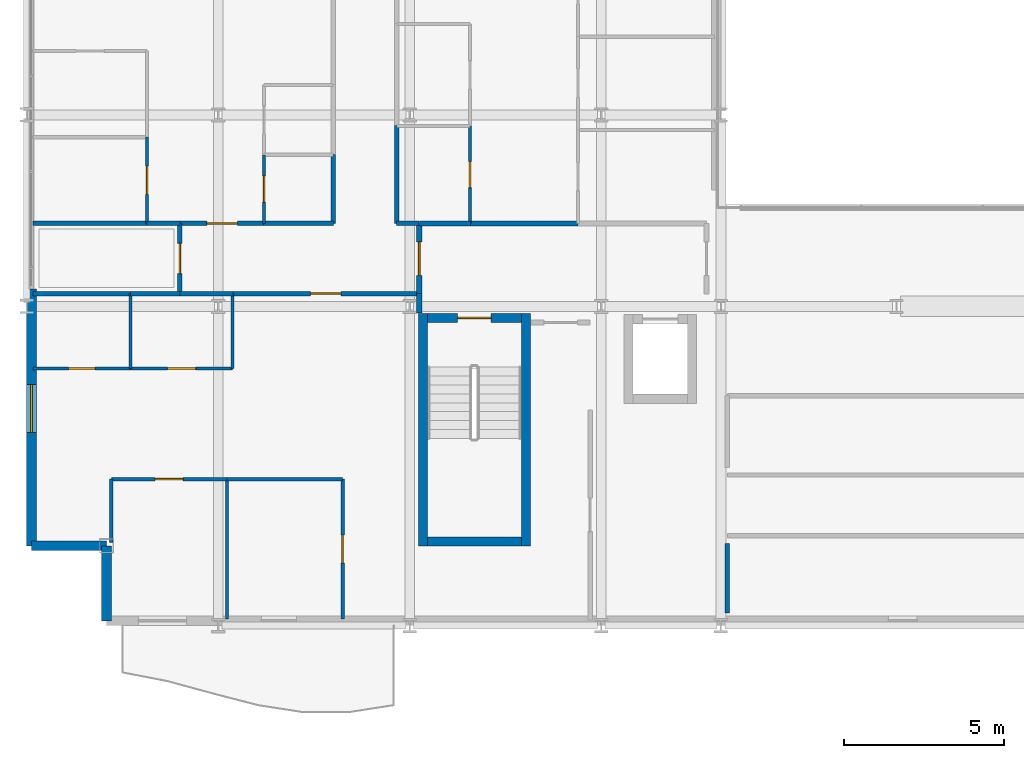
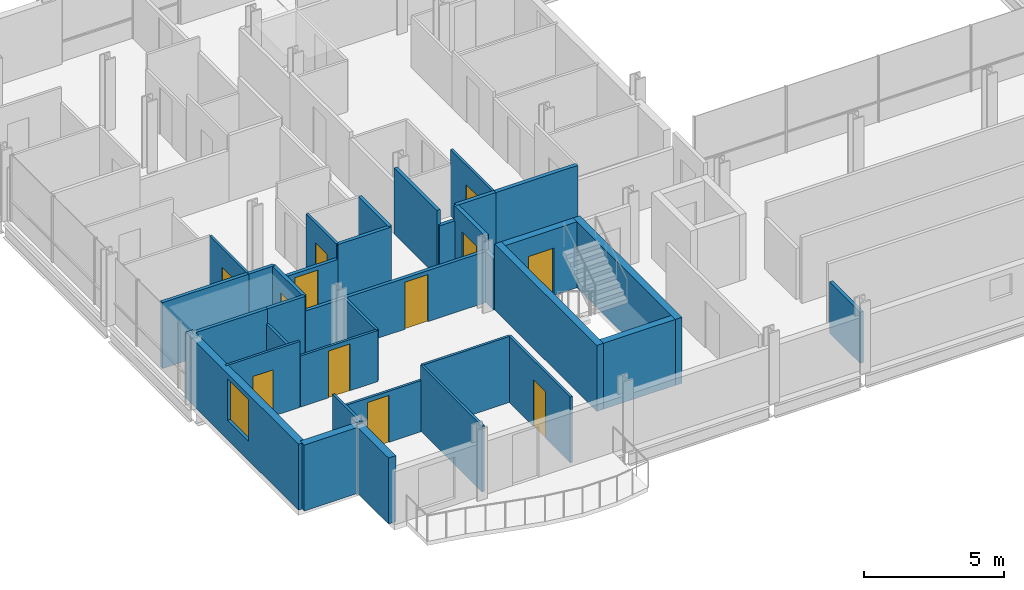
# One storey, part 31 of 40: 36 walls, 12 doors, 1 window, 13 openings.
"""IFC4 building model written with IfcOpenShell, lengths in metres."""

from ifc_helpers import new_model, si_unit, direction, frame, frame_2d, origin, place, context, subcontext, project, spatial, rectangle, extrude, material, layer, layer_set, type_object, element, fill, save


model = new_model("IFC4")

# Units and contexts
model_context = context("Model", 3, precision=1e-05, world=origin(), true_north=direction((0.0, 1.0)))
body_context = subcontext(model_context, "Body", "Model", "MODEL_VIEW")
ifc_project = project(units=[si_unit("LENGTHUNIT", "METRE"), si_unit("AREAUNIT", "SQUARE_METRE"), si_unit("VOLUMEUNIT", "CUBIC_METRE"), si_unit("PLANEANGLEUNIT", "RADIAN"), si_unit("MASSUNIT", "GRAM", prefix="KILO")], contexts=[model_context])

# Site, building, storey
site_placement = place(None, origin())
site = spatial("IfcSite", under=ifc_project, at=site_placement, CompositionType="ELEMENT")
building_placement = place(site_placement, origin())
building = spatial("IfcBuilding", under=site, at=building_placement, Name="Brevholm Reach", CompositionType="ELEMENT")
storey_placement = place(building_placement, frame((0.0, 0.0, 62.10009765625)))
storey = spatial("IfcBuildingStorey", under=building, at=storey_placement, Name="L17", CompositionType="ELEMENT", Elevation=62.10009765625)

# Walls
ifc_material_1 = material(Name="Concrete C50/60", Category="concrete")
ifc_layer_1 = layer(ifc_material_1, 0.280029296875)
ifc_layer_set_1 = layer_set([ifc_layer_1], Name="Concrete C50/60")
wall_type_1 = type_object("IfcWallType", Name="WAL-COR-280", PredefinedType="SHEAR", material=ifc_layer_set_1)
for number, where, z_axis, x_axis, name in (
    (1, (12.409912109375, 2.5, 0.0), (0.0, 0.0, 1.0), (0.0, 1.0, 0.0), "L17 Escape Stair ST-1 Core Wall W"),
    (2, (15.639892578125, 2.5, 0.0), (0.0, 0.0, 1.0), (0.0, 1.0, 0.0), "L17 Escape Stair ST-1 Core Wall E"),
):
    element("IfcWall", number, at=place(storey_placement, frame(where, z_axis=z_axis, x_axis=x_axis)), inside=storey, type_object=wall_type_1, Name=name, PredefinedType="SHEAR", context=body_context, shape_type="SweptSolid", body=[
        extrude(rectangle(XDim=7.280029296875, YDim=0.280029296875, at=frame_2d((3.64013671875, 0.0))), origin(), (0.0, 0.0, 1.0), 2.869873046875),
    ])
wall_1_placement = place(storey_placement, frame((12.550048828125, 2.639892578125, 0.0), z_axis=(0.0, 0.0, 1.0), x_axis=(1.0, 0.0, 0.0)))
element("IfcWall", 3, at=wall_1_placement, inside=storey, type_object=wall_type_1, Name="L17 Escape Stair ST-1 Core Wall S", PredefinedType="SHEAR", context=body_context, shape_type="SweptSolid", body=[
    extrude(rectangle(XDim=2.949951171875, YDim=0.280029296875, at=frame_2d((1.47509765625, 0.0))), origin(), (0.0, 0.0, 1.0), 2.869873046875),
])

# Wall, opening, door
wall_2_placement = place(storey_placement, frame((15.5, 9.639892578125, 0.0), z_axis=(0.0, 0.0, 1.0), x_axis=(-1.0, 0.0, 0.0)))
wall_2 = element("IfcWall", 4, at=wall_2_placement, inside=storey, type_object=wall_type_1, Name="L17 Escape Stair ST-1 Core Wall N", PredefinedType="SHEAR", context=body_context, shape_type="SweptSolid", body=[
    extrude(rectangle(XDim=2.949951171875, YDim=0.280029296875, at=frame_2d((1.47509765625, 0.0))), origin(), (0.0, 0.0, 1.0), 2.869873046875),
])
opening_1_placement = place(wall_2_placement, frame((0.949951171875, 0.0, 0.0)))
opening_1 = element("IfcOpeningElement", 5, at=opening_1_placement, cuts=wall_2, Name="Opening SD-ST-1", PredefinedType="OPENING", context=body_context, shape_type="SweptSolid", body=[
    extrude(rectangle(XDim=1.050048828125, YDim=2.06005859375, at=frame_2d((0.52490234375, 1.030029296875))), frame((0.0, 0.14990234375, 0.0), z_axis=(0.0, -1.0, 0.0), x_axis=(1.0, 0.0, 0.0)), (0.0, 0.0, 1.0), 0.300048828125),
])
ifc_material_2 = material(Name="Hardwood-Lipped Steel-Core Fire and Smoke Door", Category="steel")
door_type_1 = type_object("IfcDoorType", Name="DOR-INT-FD60S", OperationType="NOTDEFINED", PredefinedType="DOOR", material=ifc_material_2)
door_1_placement = place(opening_1_placement, origin())
door_1 = element("IfcDoor", 6, at=door_1_placement, inside=storey, type_object=door_type_1, Name="L17 Protected Stair ST-1 Lobby Door", OperationType="SINGLE_SWING_LEFT", OverallHeight=2.06005859375, OverallWidth=1.050048828125, PredefinedType="DOOR", context=body_context, shape_type="SweptSolid", body=[
    extrude(rectangle(XDim=1.050048828125, YDim=2.06005859375, at=frame_2d((0.52490234375, 1.030029296875))), frame((0.0, 0.02490234375, 0.0), z_axis=(0.0, -1.0, 0.0), x_axis=(1.0, 0.0, 0.0)), (0.0, 0.0, 1.0), 0.050048828125),
])
fill(opening_1, door_1)

# Walls
ifc_material_3 = material(Name="Concrete C40/50", Category="concrete")
ifc_layer_2 = layer(ifc_material_3, 0.300048828125)
ifc_layer_set_2 = layer_set([ifc_layer_2], Name="Concrete C40/50")
wall_type_2 = type_object("IfcWallType", Name="WAL-EXT-300", PredefinedType="STANDARD", material=ifc_layer_set_2)
for number, where, z_axis, x_axis, name in (
    (7, (2.5, 2.5, 0.0), (0.0, 0.0, 1.0), (0.0, -1.0, 0.0), "L17 Facade Wall WAL-L17-CSW1"),
    (8, (0.14990234375, 2.5, 0.0), (0.0, 0.0, 1.0), (1.0, 0.0, 0.0), "L17 Facade Wall WAL-L17-CSW2"),
):
    element("IfcWall", number, at=place(storey_placement, frame(where, z_axis=z_axis, x_axis=x_axis)), inside=storey, type_object=wall_type_2, Name=name, PredefinedType="STANDARD", context=body_context, shape_type="SweptSolid", body=[
        extrude(rectangle(XDim=2.35009765625, YDim=0.300048828125, at=frame_2d((1.175048828125, 0.0))), origin(), (0.0, 0.0, 1.0), 2.869873046875),
    ])

# Wall, opening, window
wall_3_placement = place(storey_placement, frame((0.14990234375, 10.550048828125, 0.0), z_axis=(0.0, 0.0, 1.0), x_axis=(0.0, -1.0, 0.0)))
wall_3 = element("IfcWall", 9, at=wall_3_placement, inside=storey, type_object=wall_type_2, Name="L17 Facade Wall WAL-L17-W-S", PredefinedType="STANDARD", context=body_context, shape_type="SweptSolid", body=[
    extrude(rectangle(XDim=8.050048828125, YDim=0.300048828125, at=frame_2d((4.02490234375, 0.0))), origin(), (0.0, 0.0, 1.0), 2.869873046875),
])
opening_2_placement = place(wall_3_placement, frame((3.0, 0.0, 0.85009765625)))
opening_2 = element("IfcOpeningElement", 10, at=opening_2_placement, cuts=wall_3, Name="Opening WN-05", PredefinedType="OPENING", context=body_context, shape_type="SweptSolid", body=[
    extrude(rectangle(XDim=1.5, YDim=1.800048828125, at=frame_2d((0.75, 0.89990234375))), frame((0.0, 0.159912109375, 0.0), z_axis=(0.0, -1.0, 0.0), x_axis=(1.0, 0.0, 0.0)), (0.0, 0.0, 1.0), 0.320068359375),
])
ifc_material_4 = material(Name="Dark Anodised Aluminium and Solar-Control IGU Glass", Category="aluminium")
window_type = type_object("IfcWindowType", Name="WIN-RES-1500", PartitioningType="SINGLE_PANEL", PredefinedType="WINDOW", material=ifc_material_4)
window_placement = place(opening_2_placement, origin())
window = element("IfcWindow", 11, at=window_placement, inside=storey, type_object=window_type, Name="L17 Window WIN-L17-WS-1", OverallHeight=1.800048828125, OverallWidth=1.5, PartitioningType="SINGLE_PANEL", PredefinedType="WINDOW", context=body_context, shape_type="SweptSolid", body=[
    extrude(rectangle(XDim=1.5, YDim=1.800048828125, at=frame_2d((0.75, 0.89990234375))), frame((0.0, 0.030029296875, 0.0), z_axis=(0.0, -1.0, 0.0), x_axis=(1.0, 0.0, 0.0)), (0.0, 0.0, 1.0), 0.06005859375),
])
fill(opening_2, window)

# Wall
ifc_material_5 = material(Name="Moisture-Resistant Acoustic Gypsum Stud Partition 100 mm", Category="gypsum")
ifc_layer_3 = layer(ifc_material_5, 0.10009765625)
ifc_layer_set_3 = layer_set([ifc_layer_3], Name="Moisture-Resistant Acoustic Gypsum Stud Partition 100 mm")
wall_type_3 = type_object("IfcWallType", Name="WAL-PRT-100", PredefinedType="PARTITIONING", material=ifc_layer_set_3)
wall_4_placement = place(storey_placement, frame((3.25, 8.053955078125, 0.0), z_axis=(0.0, 0.0, 1.0), x_axis=(0.0, 1.0, 0.0)))
element("IfcWall", 12, at=wall_4_placement, inside=storey, type_object=wall_type_3, Name="L17 Internal Partition 059", PredefinedType="PARTITIONING", context=body_context, shape_type="SweptSolid", body=[
    extrude(rectangle(XDim=2.345947265625, YDim=0.10009765625, at=frame_2d((1.1728515625, 0.0))), origin(), (0.0, 0.0, 1.0), 2.224609375),
])

# Wall, opening, door
wall_5_placement = place(storey_placement, frame((0.199951171875, 8.053955078125, 0.0), z_axis=(0.0, 0.0, 1.0), x_axis=(1.0, 0.0, 0.0)))
wall_5 = element("IfcWall", 13, at=wall_5_placement, inside=storey, type_object=wall_type_3, Name="L17 Internal Partition 060", PredefinedType="PARTITIONING", context=body_context, shape_type="SweptSolid", body=[
    extrude(rectangle(XDim=3.050048828125, YDim=0.10009765625, at=frame_2d((1.52490234375, 0.0))), origin(), (0.0, 0.0, 1.0), 2.869873046875),
])
opening_3_placement = place(wall_5_placement, frame((1.114990234375, 0.0, 0.0)))
opening_3 = element("IfcOpeningElement", 14, at=opening_3_placement, cuts=wall_5, Name="Opening ID-03", PredefinedType="OPENING", context=body_context, shape_type="SweptSolid", body=[
    extrude(rectangle(XDim=0.820068359375, YDim=2.02001953125, at=frame_2d((0.41015625, 1.010009765625))), frame((0.0, 0.06005859375, 0.0), z_axis=(0.0, -1.0, 0.0), x_axis=(1.0, 0.0, 0.0)), (0.0, 0.0, 1.0), 0.1201171875),
])
ifc_material_6 = material(Name="Moisture-Resistant Painted Timber Internal Bathroom Door", Category="wood")
door_type_2 = type_object("IfcDoorType", Name="DOR-BATH-820", OperationType="NOTDEFINED", PredefinedType="DOOR", material=ifc_material_6)
door_2_placement = place(opening_3_placement, origin())
door_2 = element("IfcDoor", 15, at=door_2_placement, inside=storey, type_object=door_type_2, Name="L17 Internal Door 022", OperationType="SINGLE_SWING_RIGHT", OverallHeight=2.02001953125, OverallWidth=0.820068359375, PredefinedType="DOOR", context=body_context, shape_type="SweptSolid", body=[
    extrude(rectangle(XDim=0.820068359375, YDim=2.02001953125, at=frame_2d((0.41015625, 1.010009765625))), frame((0.0, 0.02490234375, 0.0), z_axis=(0.0, -1.0, 0.0), x_axis=(1.0, 0.0, 0.0)), (0.0, 0.0, 1.0), 0.050048828125),
])
fill(opening_3, door_2)

wall_6_placement = place(storey_placement, frame((3.25390625, 8.053955078125, 0.0), z_axis=(0.0, 0.0, 1.0), x_axis=(1.0, 0.0, 0.0)))
wall_6 = element("IfcWall", 16, at=wall_6_placement, inside=storey, type_object=wall_type_3, Name="L17 Internal Partition 062", PredefinedType="PARTITIONING", context=body_context, shape_type="SweptSolid", body=[
    extrude(rectangle(XDim=3.196044921875, YDim=0.10009765625, at=frame_2d((1.59814453125, 0.0))), origin(), (0.0, 0.0, 1.0), 2.224609375),
])
opening_4_placement = place(wall_6_placement, frame((1.157958984375, 0.0, 0.0)))
opening_4 = element("IfcOpeningElement", 17, at=opening_4_placement, cuts=wall_6, Name="Opening ID-01", PredefinedType="OPENING", context=body_context, shape_type="SweptSolid", body=[
    extrude(rectangle(XDim=0.8798828125, YDim=2.0400390625, at=frame_2d((0.43994140625, 1.02001953125))), frame((0.0, 0.06005859375, 0.0), z_axis=(0.0, -1.0, 0.0), x_axis=(1.0, 0.0, 0.0)), (0.0, 0.0, 1.0), 0.1201171875),
])
ifc_material_7 = material(Name="Lacquered Ash Solid-Core Acoustic Internal Door", Category="timber")
door_type_3 = type_object("IfcDoorType", Name="DOR-INT-880", OperationType="NOTDEFINED", PredefinedType="DOOR", material=ifc_material_7)
door_3_placement = place(opening_4_placement, origin())
door_3 = element("IfcDoor", 18, at=door_3_placement, inside=storey, type_object=door_type_3, Name="L17 Internal Door 023", OperationType="SINGLE_SWING_LEFT", OverallHeight=2.0400390625, OverallWidth=0.8798828125, PredefinedType="DOOR", context=body_context, shape_type="SweptSolid", body=[
    extrude(rectangle(XDim=0.8798828125, YDim=2.0400390625, at=frame_2d((0.43994140625, 1.02001953125))), frame((0.0, 0.02490234375, 0.0), z_axis=(0.0, -1.0, 0.0), x_axis=(1.0, 0.0, 0.0)), (0.0, 0.0, 1.0), 0.050048828125),
])
fill(opening_4, door_3)

# Walls
wall_7_placement = place(storey_placement, frame((6.449951171875, 8.053955078125, 0.0), z_axis=(0.0, 0.0, 1.0), x_axis=(0.0, 1.0, 0.0)))
element("IfcWall", 19, at=wall_7_placement, inside=storey, type_object=wall_type_3, Name="L17 Internal Partition 063", PredefinedType="PARTITIONING", context=body_context, shape_type="SweptSolid", body=[
    extrude(rectangle(XDim=2.342041015625, YDim=0.10009765625, at=frame_2d((1.1708984375, 0.0))), origin(), (0.0, 0.0, 1.0), 2.224609375),
])
wall_8_placement = place(storey_placement, frame((6.27490234375, 0.199951171875, 0.0), z_axis=(0.0, 0.0, 1.0), x_axis=(0.0, 1.0, 0.0)))
element("IfcWall", 20, at=wall_8_placement, inside=storey, type_object=wall_type_3, Name="L17 Internal Partition 065", PredefinedType="PARTITIONING", context=body_context, shape_type="SweptSolid", body=[
    extrude(rectangle(XDim=4.385986328125, YDim=0.10009765625, at=frame_2d((2.19287109375, 0.0))), origin(), (0.0, 0.0, 1.0), 2.869873046875),
])
wall_9_placement = place(storey_placement, frame((2.64990234375, 2.599365234375, 0.0), z_axis=(0.0, 0.0, 1.0), x_axis=(0.0, 1.0, 0.0)))
element("IfcWall", 21, at=wall_9_placement, inside=storey, type_object=wall_type_3, Name="L17 Internal Partition 066", PredefinedType="PARTITIONING", context=body_context, shape_type="SweptSolid", body=[
    extrude(rectangle(XDim=1.986572265625, YDim=0.10009765625, at=frame_2d((0.9931640625, 0.0))), origin(), (0.0, 0.0, 1.0), 2.869873046875),
])

# Wall, opening, door
wall_10_placement = place(storey_placement, frame((2.64990234375, 4.5859375, 0.0), z_axis=(0.0, 0.0, 1.0), x_axis=(1.0, 0.0, 0.0)))
wall_10 = element("IfcWall", 22, at=wall_10_placement, inside=storey, type_object=wall_type_3, Name="L17 Internal Partition 067", PredefinedType="PARTITIONING", context=body_context, shape_type="SweptSolid", body=[
    extrude(rectangle(XDim=3.625, YDim=0.10009765625, at=frame_2d((1.8125, 0.0))), origin(), (0.0, 0.0, 1.0), 2.224609375),
])
opening_5_placement = place(wall_10_placement, frame((1.37255859375, 0.0, 0.0)))
opening_5 = element("IfcOpeningElement", 23, at=opening_5_placement, cuts=wall_10, Name="Opening ID-01", PredefinedType="OPENING", context=body_context, shape_type="SweptSolid", body=[
    extrude(rectangle(XDim=0.8798828125, YDim=2.0400390625, at=frame_2d((0.43994140625, 1.02001953125))), frame((0.0, 0.06005859375, 0.0), z_axis=(0.0, -1.0, 0.0), x_axis=(1.0, 0.0, 0.0)), (0.0, 0.0, 1.0), 0.1201171875),
])
door_4_placement = place(opening_5_placement, origin())
door_4 = element("IfcDoor", 24, at=door_4_placement, inside=storey, type_object=door_type_3, Name="L17 Internal Door 024", OperationType="SINGLE_SWING_RIGHT", OverallHeight=2.0400390625, OverallWidth=0.8798828125, PredefinedType="DOOR", context=body_context, shape_type="SweptSolid", body=[
    extrude(rectangle(XDim=0.8798828125, YDim=2.0400390625, at=frame_2d((0.43994140625, 1.02001953125))), frame((0.0, 0.02490234375, 0.0), z_axis=(0.0, -1.0, 0.0), x_axis=(1.0, 0.0, 0.0)), (0.0, 0.0, 1.0), 0.050048828125),
])
fill(opening_5, door_4)

wall_11_placement = place(storey_placement, frame((9.89990234375, 0.199951171875, 0.0), z_axis=(0.0, 0.0, 1.0), x_axis=(0.0, 1.0, 0.0)))
wall_11 = element("IfcWall", 25, at=wall_11_placement, inside=storey, type_object=wall_type_3, Name="L17 Internal Partition 068", PredefinedType="PARTITIONING", context=body_context, shape_type="SweptSolid", body=[
    extrude(rectangle(XDim=4.385986328125, YDim=0.10009765625, at=frame_2d((2.19287109375, 0.0))), origin(), (0.0, 0.0, 1.0), 2.869873046875),
])
opening_6_placement = place(wall_11_placement, frame((1.7529296875, 0.0, 0.0)))
opening_6 = element("IfcOpeningElement", 26, at=opening_6_placement, cuts=wall_11, Name="Opening ID-01", PredefinedType="OPENING", context=body_context, shape_type="SweptSolid", body=[
    extrude(rectangle(XDim=0.8798828125, YDim=2.0400390625, at=frame_2d((0.43994140625, 1.02001953125))), frame((0.0, 0.06005859375, 0.0), z_axis=(0.0, -1.0, 0.0), x_axis=(1.0, 0.0, 0.0)), (0.0, 0.0, 1.0), 0.1201171875),
])
door_5_placement = place(opening_6_placement, origin())
door_5 = element("IfcDoor", 27, at=door_5_placement, inside=storey, type_object=door_type_3, Name="L17 Internal Door 025", OperationType="SINGLE_SWING_LEFT", OverallHeight=2.0400390625, OverallWidth=0.8798828125, PredefinedType="DOOR", context=body_context, shape_type="SweptSolid", body=[
    extrude(rectangle(XDim=0.8798828125, YDim=2.0400390625, at=frame_2d((0.43994140625, 1.02001953125))), frame((0.0, 0.02490234375, 0.0), z_axis=(0.0, -1.0, 0.0), x_axis=(1.0, 0.0, 0.0)), (0.0, 0.0, 1.0), 0.050048828125),
])
fill(opening_6, door_5)

# Wall
wall_12_placement = place(storey_placement, frame((6.279052734375, 4.5859375, 0.0), z_axis=(0.0, 0.0, 1.0), x_axis=(1.0, 0.0, 0.0)))
element("IfcWall", 28, at=wall_12_placement, inside=storey, type_object=wall_type_3, Name="L17 Internal Partition 069", PredefinedType="PARTITIONING", context=body_context, shape_type="SweptSolid", body=[
    extrude(rectangle(XDim=3.620849609375, YDim=0.10009765625, at=frame_2d((1.810546875, 0.0))), origin(), (0.0, 0.0, 1.0), 2.869873046875),
])

# Wall, opening, door
wall_13_placement = place(storey_placement, frame((7.43798828125, 12.60400390625, 0.0), z_axis=(0.0, 0.0, 1.0), x_axis=(0.0, 1.0, 0.0)))
wall_13 = element("IfcWall", 29, at=wall_13_placement, inside=storey, type_object=wall_type_3, Name="L17 Internal Partition 085", PredefinedType="PARTITIONING", context=body_context, shape_type="SweptSolid", body=[
    extrude(rectangle(XDim=2.14599609375, YDim=0.10009765625, at=frame_2d((1.072998046875, 0.0))), origin(), (0.0, 0.0, 1.0), 2.869873046875),
])
opening_7_placement = place(wall_13_placement, frame((0.6630859375, 0.0, 0.0)))
opening_7 = element("IfcOpeningElement", 30, at=opening_7_placement, cuts=wall_13, Name="Opening ID-03", PredefinedType="OPENING", context=body_context, shape_type="SweptSolid", body=[
    extrude(rectangle(XDim=0.820068359375, YDim=2.02001953125, at=frame_2d((0.41015625, 1.010009765625))), frame((0.0, 0.06005859375, 0.0), z_axis=(0.0, -1.0, 0.0), x_axis=(1.0, 0.0, 0.0)), (0.0, 0.0, 1.0), 0.1201171875),
])
door_6_placement = place(opening_7_placement, origin())
door_6 = element("IfcDoor", 31, at=door_6_placement, inside=storey, type_object=door_type_2, Name="L17 Internal Door 030", OperationType="SINGLE_SWING_RIGHT", OverallHeight=2.02001953125, OverallWidth=0.820068359375, PredefinedType="DOOR", context=body_context, shape_type="SweptSolid", body=[
    extrude(rectangle(XDim=0.820068359375, YDim=2.02001953125, at=frame_2d((0.41015625, 1.010009765625))), frame((0.0, 0.02490234375, 0.0), z_axis=(0.0, -1.0, 0.0), x_axis=(1.0, 0.0, 0.0)), (0.0, 0.0, 1.0), 0.050048828125),
])
fill(opening_7, door_6)

wall_14_placement = place(storey_placement, frame((3.77197265625, 12.60400390625, 0.0), z_axis=(0.0, 0.0, 1.0), x_axis=(0.0, 1.0, 0.0)))
wall_14 = element("IfcWall", 32, at=wall_14_placement, inside=storey, type_object=wall_type_3, Name="L17 Internal Partition 089", PredefinedType="PARTITIONING", context=body_context, shape_type="SweptSolid", body=[
    extrude(rectangle(XDim=2.696044921875, YDim=0.10009765625, at=frame_2d((1.34814453125, 0.0))), origin(), (0.0, 0.0, 1.0), 2.869873046875),
])
opening_8_placement = place(wall_14_placement, frame((0.907958984375, 0.0, 0.0)))
opening_8 = element("IfcOpeningElement", 33, at=opening_8_placement, cuts=wall_14, Name="Opening ID-01", PredefinedType="OPENING", context=body_context, shape_type="SweptSolid", body=[
    extrude(rectangle(XDim=0.8798828125, YDim=2.0400390625, at=frame_2d((0.43994140625, 1.02001953125))), frame((0.0, 0.06005859375, 0.0), z_axis=(0.0, -1.0, 0.0), x_axis=(1.0, 0.0, 0.0)), (0.0, 0.0, 1.0), 0.1201171875),
])
door_7_placement = place(opening_8_placement, origin())
door_7 = element("IfcDoor", 34, at=door_7_placement, inside=storey, type_object=door_type_3, Name="L17 Internal Door 032", OperationType="SINGLE_SWING_RIGHT", OverallHeight=2.0400390625, OverallWidth=0.8798828125, PredefinedType="DOOR", context=body_context, shape_type="SweptSolid", body=[
    extrude(rectangle(XDim=0.8798828125, YDim=2.0400390625, at=frame_2d((0.43994140625, 1.02001953125))), frame((0.0, 0.02490234375, 0.0), z_axis=(0.0, -1.0, 0.0), x_axis=(1.0, 0.0, 0.0)), (0.0, 0.0, 1.0), 0.050048828125),
])
fill(opening_8, door_7)

wall_15_placement = place(storey_placement, frame((13.888916015625, 12.60400390625, 0.0), z_axis=(0.0, 0.0, 1.0), x_axis=(0.0, 1.0, 0.0)))
wall_15 = element("IfcWall", 35, at=wall_15_placement, inside=storey, type_object=wall_type_3, Name="L17 Internal Partition 104", PredefinedType="PARTITIONING", context=body_context, shape_type="SweptSolid", body=[
    extrude(rectangle(XDim=3.0458984375, YDim=0.10009765625, at=frame_2d((1.52294921875, 0.0))), origin(), (0.0, 0.0, 1.0), 2.869873046875),
])
opening_9_placement = place(wall_15_placement, frame((1.113037109375, 0.0, 0.0)))
opening_9 = element("IfcOpeningElement", 36, at=opening_9_placement, cuts=wall_15, Name="Opening ID-03", PredefinedType="OPENING", context=body_context, shape_type="SweptSolid", body=[
    extrude(rectangle(XDim=0.820068359375, YDim=2.02001953125, at=frame_2d((0.41015625, 1.010009765625))), frame((0.0, 0.06005859375, 0.0), z_axis=(0.0, -1.0, 0.0), x_axis=(1.0, 0.0, 0.0)), (0.0, 0.0, 1.0), 0.1201171875),
])
door_8_placement = place(opening_9_placement, origin())
door_8 = element("IfcDoor", 37, at=door_8_placement, inside=storey, type_object=door_type_2, Name="L17 Internal Door 038", OperationType="SINGLE_SWING_RIGHT", OverallHeight=2.02001953125, OverallWidth=0.820068359375, PredefinedType="DOOR", context=body_context, shape_type="SweptSolid", body=[
    extrude(rectangle(XDim=0.820068359375, YDim=2.02001953125, at=frame_2d((0.41015625, 1.010009765625))), frame((0.0, 0.02490234375, 0.0), z_axis=(0.0, -1.0, 0.0), x_axis=(1.0, 0.0, 0.0)), (0.0, 0.0, 1.0), 0.050048828125),
])
fill(opening_9, door_8)

# Wall
ifc_material_8 = material(Name="Twin-Stud Acoustic Fire-Rated Gypsum Partition 140 mm", Category="gypsum")
ifc_layer_4 = layer(ifc_material_8, 0.139892578125)
ifc_layer_set_4 = layer_set([ifc_layer_4], Name="Twin-Stud Acoustic Fire-Rated Gypsum Partition 140 mm")
wall_type_4 = type_object("IfcWallType", Name="WAL-PRT-140", PredefinedType="PARTITIONING", material=ifc_layer_set_4)
wall_16_placement = place(storey_placement, frame((4.800048828125, 10.39990234375, 0.0), z_axis=(0.0, 0.0, 1.0), x_axis=(1.0, 0.0, 0.0)))
element("IfcWall", 38, at=wall_16_placement, inside=storey, type_object=wall_type_4, Name="L17 Internal Partition 023", PredefinedType="PARTITIONING", context=body_context, shape_type="SweptSolid", body=[
    extrude(rectangle(XDim=1.6611328125, YDim=0.139892578125, at=frame_2d((0.83056640625, 0.0))), origin(), (0.0, 0.0, 1.0), 2.224609375),
])

# Wall, opening, door
wall_17_placement = place(storey_placement, frame((6.442626953125, 10.39990234375, 0.0), z_axis=(0.0, 0.0, 1.0), x_axis=(1.0, 0.0, 0.0)))
wall_17 = element("IfcWall", 39, at=wall_17_placement, inside=storey, type_object=wall_type_4, Name="L17 Internal Partition 024", PredefinedType="PARTITIONING", context=body_context, shape_type="SweptSolid", body=[
    extrude(rectangle(XDim=5.853271484375, YDim=0.139892578125, at=frame_2d((2.9267578125, 0.0))), origin(), (0.0, 0.0, 1.0), 2.224609375),
])
opening_10_placement = place(wall_17_placement, frame((2.45166015625, 0.0, 0.0)))
opening_10 = element("IfcOpeningElement", 40, at=opening_10_placement, cuts=wall_17, Name="Opening ID-30", PredefinedType="OPENING", context=body_context, shape_type="SweptSolid", body=[
    extrude(rectangle(XDim=0.949951171875, YDim=2.050048828125, at=frame_2d((0.47509765625, 1.02490234375))), frame((0.0, 0.079833984375, 0.0), z_axis=(0.0, -1.0, 0.0), x_axis=(1.0, 0.0, 0.0)), (0.0, 0.0, 1.0), 0.159912109375),
])
ifc_material_9 = material(Name="European Oak Veneered Solid-Core Fire Entrance Door", Category="timber")
door_type_4 = type_object("IfcDoorType", Name="DOR-FLT-FD30S", OperationType="NOTDEFINED", PredefinedType="DOOR", material=ifc_material_9)
door_9_placement = place(opening_10_placement, origin())
door_9 = element("IfcDoor", 41, at=door_9_placement, inside=storey, type_object=door_type_4, Name="L17 Internal Door 013", OperationType="SINGLE_SWING_LEFT", OverallHeight=2.050048828125, OverallWidth=0.949951171875, PredefinedType="DOOR", context=body_context, shape_type="SweptSolid", body=[
    extrude(rectangle(XDim=0.949951171875, YDim=2.050048828125, at=frame_2d((0.47509765625, 1.02490234375))), frame((0.0, 0.02490234375, 0.0), z_axis=(0.0, -1.0, 0.0), x_axis=(1.0, 0.0, 0.0)), (0.0, 0.0, 1.0), 0.050048828125),
])
fill(opening_10, door_9)

wall_18_placement = place(storey_placement, frame((4.800048828125, 10.39990234375, 0.0), z_axis=(0.0, 0.0, 1.0), x_axis=(0.0, 1.0, 0.0)))
wall_18 = element("IfcWall", 42, at=wall_18_placement, inside=storey, type_object=wall_type_4, Name="L17 Internal Partition 025", PredefinedType="PARTITIONING", context=body_context, shape_type="SweptSolid", body=[
    extrude(rectangle(XDim=2.2001953125, YDim=0.139892578125, at=frame_2d((1.10009765625, 0.0))), origin(), (0.0, 0.0, 1.0), 2.869873046875),
])
opening_11_placement = place(wall_18_placement, frame((0.625, 0.0, 0.0)))
opening_11 = element("IfcOpeningElement", 43, at=opening_11_placement, cuts=wall_18, Name="Opening ID-30", PredefinedType="OPENING", context=body_context, shape_type="SweptSolid", body=[
    extrude(rectangle(XDim=0.949951171875, YDim=2.050048828125, at=frame_2d((0.47509765625, 1.02490234375))), frame((0.0, 0.079833984375, 0.0), z_axis=(0.0, -1.0, 0.0), x_axis=(1.0, 0.0, 0.0)), (0.0, 0.0, 1.0), 0.159912109375),
])
door_10_placement = place(opening_11_placement, origin())
door_10 = element("IfcDoor", 44, at=door_10_placement, inside=storey, type_object=door_type_4, Name="L17 Internal Door 014", OperationType="SINGLE_SWING_RIGHT", OverallHeight=2.050048828125, OverallWidth=0.949951171875, PredefinedType="DOOR", context=body_context, shape_type="SweptSolid", body=[
    extrude(rectangle(XDim=0.949951171875, YDim=2.050048828125, at=frame_2d((0.47509765625, 1.02490234375))), frame((0.0, 0.02490234375, 0.0), z_axis=(0.0, -1.0, 0.0), x_axis=(1.0, 0.0, 0.0)), (0.0, 0.0, 1.0), 0.050048828125),
])
fill(opening_11, door_10)

# Wall
wall_19_placement = place(storey_placement, frame((7.4267578125, 12.60009765625, 0.0), z_axis=(0.0, 0.0, 1.0), x_axis=(1.0, 0.0, 0.0)))
element("IfcWall", 45, at=wall_19_placement, inside=storey, type_object=wall_type_4, Name="L17 Internal Partition 026", PredefinedType="PARTITIONING", context=body_context, shape_type="SweptSolid", body=[
    extrude(rectangle(XDim=2.1806640625, YDim=0.139892578125, at=frame_2d((1.09033203125, 0.0))), origin(), (0.0, 0.0, 1.0), 2.869873046875),
])

# Wall, opening, door
wall_20_placement = place(storey_placement, frame((4.800048828125, 12.60009765625, 0.0), z_axis=(0.0, 0.0, 1.0), x_axis=(1.0, 0.0, 0.0)))
wall_20 = element("IfcWall", 46, at=wall_20_placement, inside=storey, type_object=wall_type_4, Name="L17 Internal Partition 027", PredefinedType="PARTITIONING", context=body_context, shape_type="SweptSolid", body=[
    extrude(rectangle(XDim=2.645263671875, YDim=0.139892578125, at=frame_2d((1.32275390625, 0.0))), origin(), (0.0, 0.0, 1.0), 2.224609375),
])
opening_12_placement = place(wall_20_placement, frame((0.84765625, 0.0, 0.0)))
opening_12 = element("IfcOpeningElement", 47, at=opening_12_placement, cuts=wall_20, Name="Opening ID-30", PredefinedType="OPENING", context=body_context, shape_type="SweptSolid", body=[
    extrude(rectangle(XDim=0.949951171875, YDim=2.050048828125, at=frame_2d((0.47509765625, 1.02490234375))), frame((0.0, 0.079833984375, 0.0), z_axis=(0.0, -1.0, 0.0), x_axis=(1.0, 0.0, 0.0)), (0.0, 0.0, 1.0), 0.159912109375),
])
door_11_placement = place(opening_12_placement, origin())
door_11 = element("IfcDoor", 48, at=door_11_placement, inside=storey, type_object=door_type_4, Name="L17 Internal Door 015", OperationType="SINGLE_SWING_LEFT", OverallHeight=2.050048828125, OverallWidth=0.949951171875, PredefinedType="DOOR", context=body_context, shape_type="SweptSolid", body=[
    extrude(rectangle(XDim=0.949951171875, YDim=2.050048828125, at=frame_2d((0.47509765625, 1.02490234375))), frame((0.0, 0.02490234375, 0.0), z_axis=(0.0, -1.0, 0.0), x_axis=(1.0, 0.0, 0.0)), (0.0, 0.0, 1.0), 0.050048828125),
])
fill(opening_12, door_11)

# Walls
wall_21_placement = place(storey_placement, frame((11.5927734375, 12.60009765625, 0.0), z_axis=(0.0, 0.0, 1.0), x_axis=(1.0, 0.0, 0.0)))
element("IfcWall", 49, at=wall_21_placement, inside=storey, type_object=wall_type_4, Name="L17 Internal Partition 028", PredefinedType="PARTITIONING", context=body_context, shape_type="SweptSolid", body=[
    extrude(rectangle(XDim=0.703125, YDim=0.139892578125, at=frame_2d((0.3515625, 0.0))), origin(), (0.0, 0.0, 1.0), 2.224609375),
])
wall_22_placement = place(storey_placement, frame((9.60009765625, 12.60400390625, 0.0), z_axis=(0.0, 0.0, 1.0), x_axis=(0.0, 1.0, 0.0)))
element("IfcWall", 50, at=wall_22_placement, inside=storey, type_object=wall_type_4, Name="L17 Internal Partition 032", PredefinedType="PARTITIONING", context=body_context, shape_type="SweptSolid", body=[
    extrude(rectangle(XDim=2.1572265625, YDim=0.139892578125, at=frame_2d((1.07861328125, 0.0))), origin(), (0.0, 0.0, 1.0), 2.869873046875),
])
wall_23_placement = place(storey_placement, frame((11.60009765625, 12.60400390625, 0.0), z_axis=(0.0, 0.0, 1.0), x_axis=(0.0, 1.0, 0.0)))
element("IfcWall", 51, at=wall_23_placement, inside=storey, type_object=wall_type_4, Name="L17 Internal Partition 038", PredefinedType="PARTITIONING", context=body_context, shape_type="SweptSolid", body=[
    extrude(rectangle(XDim=3.057373046875, YDim=0.139892578125, at=frame_2d((1.52880859375, 0.0))), origin(), (0.0, 0.0, 1.0), 2.869873046875),
])
wall_24_placement = place(storey_placement, frame((0.199951171875, 10.39990234375, 0.0), z_axis=(0.0, 0.0, 1.0), x_axis=(1.0, 0.0, 0.0)))
element("IfcWall", 52, at=wall_24_placement, inside=storey, type_object=wall_type_4, Name="L17 Internal Partition 061", PredefinedType="PARTITIONING", context=body_context, shape_type="SweptSolid", body=[
    extrude(rectangle(XDim=3.050048828125, YDim=0.139892578125, at=frame_2d((1.52490234375, 0.0))), origin(), (0.0, 0.0, 1.0), 2.869873046875),
])
wall_25_placement = place(storey_placement, frame((3.25390625, 10.39990234375, 0.0), z_axis=(0.0, 0.0, 1.0), x_axis=(1.0, 0.0, 0.0)))
element("IfcWall", 53, at=wall_25_placement, inside=storey, type_object=wall_type_4, Name="L17 Internal Partition 064", PredefinedType="PARTITIONING", context=body_context, shape_type="SweptSolid", body=[
    extrude(rectangle(XDim=1.5419921875, YDim=0.139892578125, at=frame_2d((0.77099609375, 0.0))), origin(), (0.0, 0.0, 1.0), 2.869873046875),
])
wall_26_placement = place(storey_placement, frame((0.199951171875, 12.60009765625, 0.0), z_axis=(0.0, 0.0, 1.0), x_axis=(1.0, 0.0, 0.0)))
element("IfcWall", 54, at=wall_26_placement, inside=storey, type_object=wall_type_4, Name="L17 Internal Partition 070", PredefinedType="PARTITIONING", context=body_context, shape_type="SweptSolid", body=[
    extrude(rectangle(XDim=3.583251953125, YDim=0.139892578125, at=frame_2d((1.79150390625, 0.0))), origin(), (0.0, 0.0, 1.0), 2.869873046875),
])
wall_27_placement = place(storey_placement, frame((3.7646484375, 12.60009765625, 0.0), z_axis=(0.0, 0.0, 1.0), x_axis=(1.0, 0.0, 0.0)))
element("IfcWall", 55, at=wall_27_placement, inside=storey, type_object=wall_type_4, Name="L17 Internal Partition 071", PredefinedType="PARTITIONING", context=body_context, shape_type="SweptSolid", body=[
    extrude(rectangle(XDim=1.03125, YDim=0.139892578125, at=frame_2d((0.515625, 0.0))), origin(), (0.0, 0.0, 1.0), 2.869873046875),
])
wall_28_placement = place(storey_placement, frame((21.949951171875, 0.389892578125, 0.0), z_axis=(0.0, 0.0, 1.0), x_axis=(0.0, 1.0, 0.0)))
element("IfcWall", 56, at=wall_28_placement, inside=storey, type_object=wall_type_4, Name="L17 Internal Partition 148", PredefinedType="PARTITIONING", context=body_context, shape_type="SweptSolid", body=[
    extrude(rectangle(XDim=2.18701171875, YDim=0.139892578125, at=frame_2d((1.093505859375, 0.0))), origin(), (0.0, 0.0, 1.0), 2.224609375),
])

# Wall, opening, door
ifc_material_10 = material(Name="Twin-Frame Fire-Rated Gypsum Board and Mineral Wool 160 mm", Category="gypsum")
ifc_layer_5 = layer(ifc_material_10, 0.159912109375)
ifc_layer_set_5 = layer_set([ifc_layer_5], Name="Twin-Frame Fire-Rated Gypsum Board and Mineral Wool 160 mm")
wall_type_5 = type_object("IfcWallType", Name="WAL-PRT-160", PredefinedType="PARTITIONING", material=ifc_layer_set_5)
wall_29_placement = place(storey_placement, frame((12.300048828125, 10.388671875, 0.0), z_axis=(0.0, 0.0, 1.0), x_axis=(0.0, 1.0, 0.0)))
wall_29 = element("IfcWall", 57, at=wall_29_placement, inside=storey, type_object=wall_type_5, Name="L17 Internal Partition 013", PredefinedType="PARTITIONING", context=body_context, shape_type="SweptSolid", body=[
    extrude(rectangle(XDim=2.21142578125, YDim=0.159912109375, at=frame_2d((1.105712890625, 0.0))), origin(), (0.0, 0.0, 1.0), 2.869873046875),
])
opening_13_placement = place(wall_29_placement, frame((0.58056640625, 0.0, 0.0)))
opening_13 = element("IfcOpeningElement", 58, at=opening_13_placement, cuts=wall_29, Name="Opening FD-01", PredefinedType="OPENING", context=body_context, shape_type="SweptSolid", body=[
    extrude(rectangle(XDim=1.050048828125, YDim=2.06005859375, at=frame_2d((0.52490234375, 1.030029296875))), frame((0.0, 0.08984375, 0.0), z_axis=(0.0, -1.0, 0.0), x_axis=(1.0, 0.0, 0.0)), (0.0, 0.0, 1.0), 0.179931640625),
])
door_12_placement = place(opening_13_placement, origin())
door_12 = element("IfcDoor", 59, at=door_12_placement, inside=storey, type_object=door_type_1, Name="L17 Internal Door 009", OperationType="SINGLE_SWING_LEFT", OverallHeight=2.06005859375, OverallWidth=1.050048828125, PredefinedType="DOOR", context=body_context, shape_type="SweptSolid", body=[
    extrude(rectangle(XDim=1.050048828125, YDim=2.06005859375, at=frame_2d((0.52490234375, 1.030029296875))), frame((0.0, 0.02490234375, 0.0), z_axis=(0.0, -1.0, 0.0), x_axis=(1.0, 0.0, 0.0)), (0.0, 0.0, 1.0), 0.050048828125),
])
fill(opening_13, door_12)

# Walls
wall_30_placement = place(storey_placement, frame((12.300048828125, 9.7900390625, 0.0), z_axis=(0.0, 0.0, 1.0), x_axis=(0.0, 1.0, 0.0)))
element("IfcWall", 60, at=wall_30_placement, inside=storey, type_object=wall_type_5, Name="L17 Internal Partition 015", PredefinedType="PARTITIONING", context=body_context, shape_type="SweptSolid", body=[
    extrude(rectangle(XDim=0.6171875, YDim=0.159912109375, at=frame_2d((0.30859375, 0.0))), origin(), (0.0, 0.0, 1.0), 2.224609375),
])
wall_31_placement = place(storey_placement, frame((12.300048828125, 12.60009765625, 0.0), z_axis=(0.0, 0.0, 1.0), x_axis=(1.0, 0.0, 0.0)))
element("IfcWall", 61, at=wall_31_placement, inside=storey, type_object=wall_type_5, Name="L17 Internal Partition 016", PredefinedType="PARTITIONING", context=body_context, shape_type="SweptSolid", body=[
    extrude(rectangle(XDim=1.600341796875, YDim=0.159912109375, at=frame_2d((0.80029296875, 0.0))), origin(), (0.0, 0.0, 1.0), 2.869873046875),
])
wall_32_placement = place(storey_placement, frame((13.881591796875, 12.60009765625, 0.0), z_axis=(0.0, 0.0, 1.0), x_axis=(1.0, 0.0, 0.0)))
element("IfcWall", 62, at=wall_32_placement, inside=storey, type_object=wall_type_5, Name="L17 Internal Partition 018", PredefinedType="PARTITIONING", context=body_context, shape_type="SweptSolid", body=[
    extrude(rectangle(XDim=3.396728515625, YDim=0.159912109375, at=frame_2d((1.6982421875, 0.0))), origin(), (0.0, 0.0, 1.0), 2.869873046875),
])

save(model, "model.ifc")
